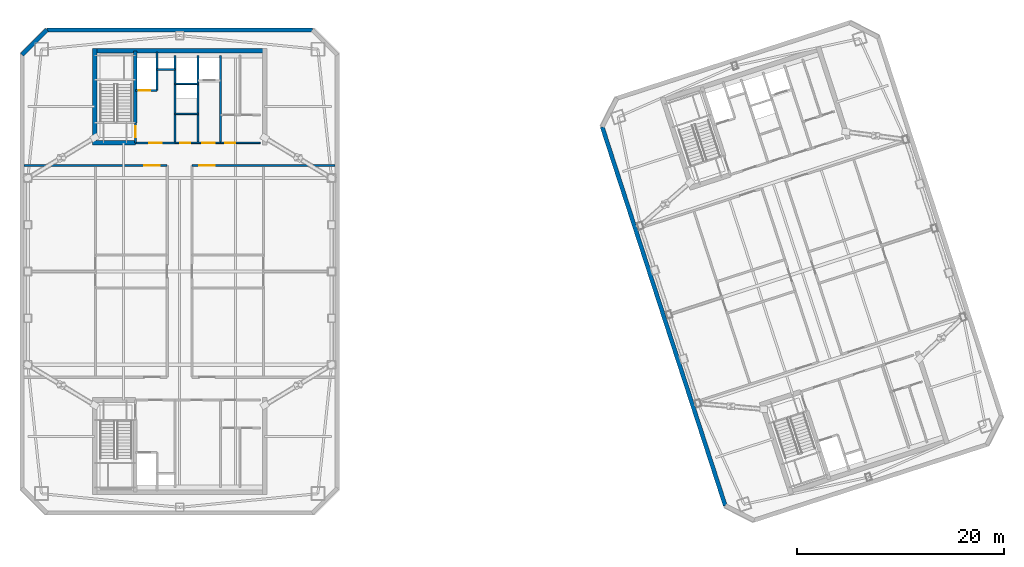
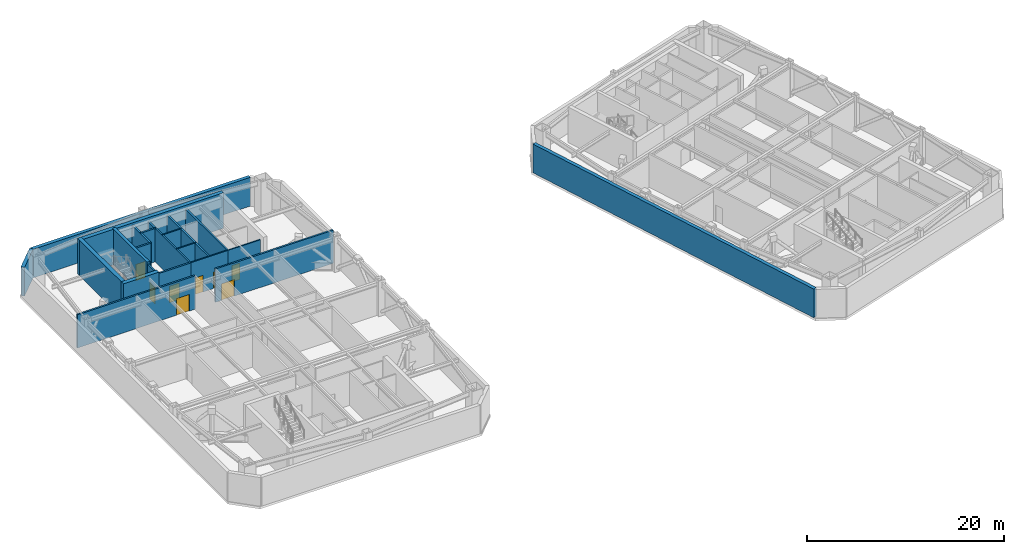
# One storey, part 11 of 17: 21 walls, 8 doors, 8 openings.
"""IFC4 building model written with IfcOpenShell, lengths in metres."""

from ifc_helpers import new_model, si_unit, direction, frame, frame_2d, origin, place, context, subcontext, project, spatial, rectangle, extrude, material, layer, layer_set, type_object, element, fill, save


model = new_model("IFC4")

# Units and contexts
model_context = context("Model", 3, precision=1e-05, world=origin(), true_north=direction((0.0, 1.0)))
body_context = subcontext(model_context, "Body", "Model", "MODEL_VIEW")
ifc_project = project(units=[si_unit("LENGTHUNIT", "METRE"), si_unit("AREAUNIT", "SQUARE_METRE"), si_unit("VOLUMEUNIT", "CUBIC_METRE"), si_unit("PLANEANGLEUNIT", "RADIAN"), si_unit("MASSUNIT", "GRAM", prefix="KILO")], contexts=[model_context])

# Site, building, storey
site_placement = place(None, origin())
site = spatial("IfcSite", under=ifc_project, at=site_placement, CompositionType="ELEMENT")
building_placement = place(site_placement, origin())
building = spatial("IfcBuilding", under=site, at=building_placement, Name="Qiaolan Cultural Towers", CompositionType="ELEMENT")
storey_placement = place(building_placement, frame((0.0, 0.0, 230.0)))
storey = spatial("IfcBuildingStorey", under=building, at=storey_placement, Name="L62", CompositionType="ELEMENT", Elevation=230.0)

# Walls
ifc_material_1 = material(Name="Concrete C50", Category="concrete")
ifc_layer_1 = layer(ifc_material_1, 0.35009765625)
ifc_layer_set_1 = layer_set([ifc_layer_1], Name="Concrete C50")
wall_type_1 = type_object("IfcWallType", Name="WL-CORE-350", PredefinedType="SHEAR", material=ifc_layer_set_1)
wall_1_placement = place(storey_placement, frame((25.719970703125, 48.300048828125, 0.0), z_axis=(0.0, 0.0, 1.0), x_axis=(0.0, 1.0, 0.0)))
element("IfcWall", 1, at=wall_1_placement, inside=storey, type_object=wall_type_1, Name="L62 T1-CN Stair Core Dividing Web", PredefinedType="SHEAR", context=body_context, shape_type="SweptSolid", body=[
    extrude(rectangle(XDim=6.97998046875, YDim=0.35009765625, at=frame_2d((3.489990234375, 0.0))), origin(), (0.0, 0.0, 1.0), 4.39990234375),
])
ifc_material_2 = material(Name="Concrete C50", Category="concrete")
ifc_layer_2 = layer(ifc_material_2, 0.449951171875)
ifc_layer_set_2 = layer_set([ifc_layer_2], Name="Concrete C50")
wall_type_2 = type_object("IfcWallType", Name="WL-CORE-450", PredefinedType="SHEAR", material=ifc_layer_set_2)
wall_2_placement = place(storey_placement, frame((21.574951171875, 55.280029296875, 0.0), z_axis=(0.0, 0.0, 1.0), x_axis=(1.0, 0.0, 0.0)))
element("IfcWall", 2, at=wall_2_placement, inside=storey, type_object=wall_type_2, Name="L62 T1-CN Outer Core Shear Wall", PredefinedType="SHEAR", context=body_context, shape_type="SweptSolid", body=[
    extrude(rectangle(XDim=16.85009765625, YDim=0.449951171875, at=frame_2d((8.425048828125, 0.0))), origin(), (0.0, 0.0, 1.0), 4.39990234375),
])
wall_3_placement = place(storey_placement, frame((21.800048828125, 46.175048828125, 0.0), z_axis=(0.0, 0.0, 1.0), x_axis=(0.0, 1.0, 0.0)))
element("IfcWall", 3, at=wall_3_placement, inside=storey, type_object=wall_type_2, Name="L62 T1-CN West Core Shear Wall", PredefinedType="SHEAR", context=body_context, shape_type="SweptSolid", body=[
    extrude(rectangle(XDim=9.329833984375, YDim=0.449951171875, at=frame_2d((4.6650390625, 0.0))), origin(), (0.0, 0.0, 1.0), 4.39990234375),
])
wall_4_placement = place(storey_placement, frame((21.574951171875, 46.39990234375, 0.0), z_axis=(0.0, 0.0, 1.0), x_axis=(1.0, 0.0, 0.0)))
element("IfcWall", 4, at=wall_4_placement, inside=storey, type_object=wall_type_2, Name="L62 T1-CN Stair Front Shear Wall", PredefinedType="SHEAR", context=body_context, shape_type="SweptSolid", body=[
    extrude(rectangle(XDim=4.14501953125, YDim=0.449951171875, at=frame_2d((2.072509765625, 0.0))), origin(), (0.0, 0.0, 1.0), 4.39990234375),
])
ifc_material_3 = material(Name="Precast Concrete C50 Honed Stone Pier", Category="masonry")
ifc_layer_3 = layer(ifc_material_3, 0.39990234375)
ifc_layer_set_3 = layer_set([ifc_layer_3], Name="Precast Concrete C50 Honed Stone Pier")
wall_type_3 = type_object("IfcWallType", Name="WL-EXT-PIER-400", PredefinedType="SOLIDWALL", material=ifc_layer_set_3)
wall_5_placement = place(storey_placement, frame((14.800048828125, 54.89990234375, 0.0), z_axis=(0.0, 0.0, 1.0), x_axis=(0.707070815327, 0.707142745217, 0.0)))
element("IfcWall", 5, at=wall_5_placement, inside=storey, type_object=wall_type_3, Name="L62 West Tower Precast Pier Facade Wall F2", PredefinedType="SOLIDWALL", context=body_context, shape_type="SweptSolid", body=[
    extrude(rectangle(XDim=3.39404296875, YDim=0.39990234375, at=frame_2d((1.697021484375, 0.0))), origin(), (0.0, 0.0, 1.0), 3.56005859375),
])
wall_6_placement = place(storey_placement, frame((17.199951171875, 57.300048828125, 0.0), z_axis=(0.0, 0.0, 1.0), x_axis=(1.0, 0.0, 0.0)))
element("IfcWall", 6, at=wall_6_placement, inside=storey, type_object=wall_type_3, Name="L62 West Tower Precast Pier Facade Wall F3", PredefinedType="SOLIDWALL", context=body_context, shape_type="SweptSolid", body=[
    extrude(rectangle(XDim=25.60009765625, YDim=0.39990234375, at=frame_2d((12.800048828125, 0.0))), origin(), (0.0, 0.0, 1.0), 3.56005859375),
])
wall_7_placement = place(storey_placement, frame((82.618408203125, 11.41357421875, 0.0), z_axis=(0.0, 0.0, 1.0), x_axis=(-0.309016491071, 0.951056679828, 0.0)))
element("IfcWall", 7, at=wall_7_placement, inside=storey, type_object=wall_type_3, Name="L62 East Tower Precast Pier Facade Wall F1", PredefinedType="SOLIDWALL", context=body_context, shape_type="SweptSolid", body=[
    extrude(rectangle(XDim=38.39990234375, YDim=0.39990234375, at=frame_2d((19.199951171875, 0.0))), origin(), (0.0, 0.0, 1.0), 3.56005859375),
])

# Wall, opening, door
ifc_material_4 = material(Name="Concrete C35 Fire Wall", Category="concrete")
ifc_layer_4 = layer(ifc_material_4, 0.199951171875)
ifc_layer_set_4 = layer_set([ifc_layer_4], Name="Concrete C35 Fire Wall")
wall_type_4 = type_object("IfcWallType", Name="WL-FIRE-200", PredefinedType="PARTITIONING", material=ifc_layer_set_4)
wall_8_placement = place(storey_placement, frame((25.719970703125, 46.39990234375, 0.0), z_axis=(0.0, 0.0, 1.0), x_axis=(0.0, 1.0, 0.0)))
wall_8 = element("IfcWall", 8, at=wall_8_placement, inside=storey, type_object=wall_type_4, Name="L62 T1-CN Smokeproof Stair Entry Wall", PredefinedType="PARTITIONING", context=body_context, shape_type="SweptSolid", body=[
    extrude(rectangle(XDim=1.900146484375, YDim=0.199951171875, at=frame_2d((0.9501953125, 0.0))), origin(), (0.0, 0.0, 1.0), 4.125),
])
opening_1_placement = place(wall_8_placement, frame((0.52001953125, 0.0, 0.0)))
opening_1 = element("IfcOpeningElement", 9, at=opening_1_placement, cuts=wall_8, Name="Opening FD-04", PredefinedType="OPENING", context=body_context, shape_type="SweptSolid", body=[
    extrude(rectangle(XDim=1.10009765625, YDim=2.050048828125, at=frame_2d((0.550048828125, 1.02490234375))), frame((0.0, 0.10986328125, 0.0), z_axis=(0.0, -1.0, 0.0), x_axis=(1.0, 0.0, 0.0)), (0.0, 0.0, 1.0), 0.219970703125),
])
ifc_material_5 = material(Name="Galvanized Steel Command Fire Door", Category="steel")
door_type_1 = type_object("IfcDoorType", Name="DR-FD90-1100", OperationType="NOTDEFINED", PredefinedType="DOOR", material=ifc_material_5)
door_1_placement = place(opening_1_placement, origin())
door_1 = element("IfcDoor", 10, at=door_1_placement, inside=storey, type_object=door_type_1, Name="L62 ST-W2 Smokeproof Stair Fire Door", OperationType="SINGLE_SWING_LEFT", OverallHeight=2.050048828125, OverallWidth=1.10009765625, PredefinedType="DOOR", context=body_context, shape_type="SweptSolid", body=[
    extrude(rectangle(XDim=1.10009765625, YDim=2.050048828125, at=frame_2d((0.550048828125, 1.02490234375))), frame((0.0, 0.02490234375, 0.0), z_axis=(0.0, -1.0, 0.0), x_axis=(1.0, 0.0, 0.0)), (0.0, 0.0, 1.0), 0.050048828125),
])
fill(opening_1, door_1)

# Wall
wall_9_placement = place(storey_placement, frame((29.550048828125, 46.39990234375, 0.0), z_axis=(0.0, 0.0, 1.0), x_axis=(0.0, 1.0, 0.0)))
element("IfcWall", 11, at=wall_9_placement, inside=storey, type_object=wall_type_4, Name="L62 T1-CN Firefighting Zone Wall", PredefinedType="PARTITIONING", context=body_context, shape_type="SweptSolid", body=[
    extrude(rectangle(XDim=8.43017578125, YDim=0.199951171875, at=frame_2d((4.215087890625, 0.0))), origin(), (0.0, 0.0, 1.0), 4.125),
])

# Wall, opening, door
wall_10_placement = place(storey_placement, frame((25.719970703125, 46.39990234375, 0.0), z_axis=(0.0, 0.0, 1.0), x_axis=(1.0, 0.0, 0.0)))
wall_10 = element("IfcWall", 12, at=wall_10_placement, inside=storey, type_object=wall_type_4, Name="L62 T1-CN Firefighting Lobby Front Wall", PredefinedType="PARTITIONING", context=body_context, shape_type="SweptSolid", body=[
    extrude(rectangle(XDim=3.830078125, YDim=0.199951171875, at=frame_2d((1.9150390625, 0.0))), origin(), (0.0, 0.0, 1.0), 4.125),
])
opening_2_placement = place(wall_10_placement, frame((1.35009765625, 0.0, 0.0)))
opening_2 = element("IfcOpeningElement", 13, at=opening_2_placement, cuts=wall_10, Name="Opening FD-03", PredefinedType="OPENING", context=body_context, shape_type="SweptSolid", body=[
    extrude(rectangle(XDim=1.199951171875, YDim=2.050048828125, at=frame_2d((0.60009765625, 1.02490234375))), frame((0.0, 0.10986328125, 0.0), z_axis=(0.0, -1.0, 0.0), x_axis=(1.0, 0.0, 0.0)), (0.0, 0.0, 1.0), 0.219970703125),
])
ifc_material_6 = material(Name="Galvanized Steel Smokeproof Lobby Fire Door", Category="steel")
door_type_2 = type_object("IfcDoorType", Name="DR-FD90-1200", OperationType="NOTDEFINED", PredefinedType="DOOR", material=ifc_material_6)
door_2_placement = place(opening_2_placement, origin())
door_2 = element("IfcDoor", 14, at=door_2_placement, inside=storey, type_object=door_type_2, Name="L62 FFL-W2 Firefighting Lobby Fire Door", OperationType="SINGLE_SWING_LEFT", OverallHeight=2.050048828125, OverallWidth=1.199951171875, PredefinedType="DOOR", context=body_context, shape_type="SweptSolid", body=[
    extrude(rectangle(XDim=1.199951171875, YDim=2.050048828125, at=frame_2d((0.60009765625, 1.02490234375))), frame((0.0, 0.02490234375, 0.0), z_axis=(0.0, -1.0, 0.0), x_axis=(1.0, 0.0, 0.0)), (0.0, 0.0, 1.0), 0.050048828125),
])
fill(opening_2, door_2)

wall_11_placement = place(storey_placement, frame((25.719970703125, 51.449951171875, 0.0), z_axis=(0.0, 0.0, 1.0), x_axis=(1.0, 0.0, 0.0)))
wall_11 = element("IfcWall", 15, at=wall_11_placement, inside=storey, type_object=wall_type_4, Name="L62 T1-CN Firefighting Shaft Front Wall", PredefinedType="PARTITIONING", context=body_context, shape_type="SweptSolid", body=[
    extrude(rectangle(XDim=2.10009765625, YDim=0.199951171875, at=frame_2d((1.050048828125, 0.0))), origin(), (0.0, 0.0, 1.0), 4.125),
])
opening_3_placement = place(wall_11_placement, frame((0.35009765625, 0.0, 0.0)))
opening_3 = element("IfcOpeningElement", 16, at=opening_3_placement, cuts=wall_11, Name="Opening LD-01", PredefinedType="OPENING", context=body_context, shape_type="SweptSolid", body=[
    extrude(rectangle(XDim=1.10009765625, YDim=2.050048828125, at=frame_2d((0.550048828125, 1.02490234375))), frame((0.0, 0.10986328125, 0.0), z_axis=(0.0, -1.0, 0.0), x_axis=(1.0, 0.0, 0.0)), (0.0, 0.0, 1.0), 0.219970703125),
])
ifc_material_7 = material(Name="Brushed Stainless Steel S30408 Centre-Parting Lift Landing Door", Category="steel")
door_type_3 = type_object("IfcDoorType", Name="DR-LIFT-1100", OperationType="NOTDEFINED", PredefinedType="DOOR", material=ifc_material_7)
door_3_placement = place(opening_3_placement, origin())
door_3 = element("IfcDoor", 17, at=door_3_placement, inside=storey, type_object=door_type_3, Name="L62 FFL-W2 Firefighting Lift Landing Door", OperationType="DOUBLE_DOOR_SLIDING", OverallHeight=2.050048828125, OverallWidth=1.10009765625, PredefinedType="DOOR", context=body_context, shape_type="SweptSolid", body=[
    extrude(rectangle(XDim=1.10009765625, YDim=2.050048828125, at=frame_2d((0.550048828125, 1.02490234375))), frame((0.0, 0.02490234375, 0.0), z_axis=(0.0, -1.0, 0.0), x_axis=(1.0, 0.0, 0.0)), (0.0, 0.0, 1.0), 0.050048828125),
])
fill(opening_3, door_3)

# Walls
wall_12_placement = place(storey_placement, frame((27.820068359375, 51.449951171875, 0.0), z_axis=(0.0, 0.0, 1.0), x_axis=(0.0, 1.0, 0.0)))
element("IfcWall", 18, at=wall_12_placement, inside=storey, type_object=wall_type_4, Name="L62 T1-CN Firefighting Hoistway East Wall", PredefinedType="PARTITIONING", context=body_context, shape_type="SweptSolid", body=[
    extrude(rectangle(XDim=3.699951171875, YDim=0.199951171875, at=frame_2d((1.85009765625, 0.0))), origin(), (0.0, 0.0, 1.0), 4.125),
])
wall_13_placement = place(storey_placement, frame((27.820068359375, 53.47998046875, 0.0), z_axis=(0.0, 0.0, 1.0), x_axis=(1.0, 0.0, 0.0)))
element("IfcWall", 19, at=wall_13_placement, inside=storey, type_object=wall_type_4, Name="L62 T1-CN Pressurization Shaft Front Wall", PredefinedType="PARTITIONING", context=body_context, shape_type="SweptSolid", body=[
    extrude(rectangle(XDim=1.72998046875, YDim=0.199951171875, at=frame_2d((0.864990234375, 0.0))), origin(), (0.0, 0.0, 1.0), 4.125),
])
for number, where, z_axis, x_axis, name in (
    (20, (33.949951171875, 46.39990234375, 0.0), (0.0, 0.0, 1.0), (0.0, 1.0, 0.0), "L62 T1-CN Lift Core East Wall"),
    (21, (31.780029296875, 46.39990234375, 0.0), (0.0, 0.0, 1.0), (0.0, 1.0, 0.0), "L62 T1-CN Sky Shuttle Lift Zone Wall"),
):
    element("IfcWall", number, at=place(storey_placement, frame(where, z_axis=z_axis, x_axis=x_axis)), inside=storey, type_object=wall_type_4, Name=name, PredefinedType="PARTITIONING", context=body_context, shape_type="SweptSolid", body=[
        extrude(rectangle(XDim=8.43017578125, YDim=0.199951171875, at=frame_2d((4.215087890625, 0.0))), origin(), (0.0, 0.0, 1.0), 4.125),
    ])

# Wall, opening, door
wall_14_placement = place(storey_placement, frame((15.0, 44.199951171875, 0.0), z_axis=(0.0, 0.0, 1.0), x_axis=(1.0, 0.0, 0.0)))
wall_14 = element("IfcWall", 22, at=wall_14_placement, inside=storey, type_object=wall_type_4, Name="L62 T1 Fire Rated Plant/Refuge Wall NBW", PredefinedType="PARTITIONING", context=body_context, shape_type="SweptSolid", body=[
    extrude(rectangle(XDim=13.800048828125, YDim=0.199951171875, at=frame_2d((6.89990234375, 0.0))), origin(), (0.0, 0.0, 1.0), 4.125),
])
opening_4_placement = place(wall_14_placement, frame((11.60009765625, 0.0, 0.0)))
opening_4 = element("IfcOpeningElement", 23, at=opening_4_placement, cuts=wall_14, Name="Opening FD-02", PredefinedType="OPENING", context=body_context, shape_type="SweptSolid", body=[
    extrude(rectangle(XDim=1.5, YDim=2.050048828125, at=frame_2d((0.75, 1.02490234375))), frame((0.0, 0.10986328125, 0.0), z_axis=(0.0, -1.0, 0.0), x_axis=(1.0, 0.0, 0.0)), (0.0, 0.0, 1.0), 0.219970703125),
])
ifc_material_8 = material(Name="Galvanized Steel Double Fire Door", Category="steel")
door_type_4 = type_object("IfcDoorType", Name="DR-FD90-1500", OperationType="NOTDEFINED", PredefinedType="DOOR", material=ifc_material_8)
door_4_placement = place(opening_4_placement, origin())
door_4 = element("IfcDoor", 24, at=door_4_placement, inside=storey, type_object=door_type_4, Name="L62 T1 West North Refuge Fire Door", OperationType="SINGLE_SWING_LEFT", OverallHeight=2.050048828125, OverallWidth=1.5, PredefinedType="DOOR", context=body_context, shape_type="SweptSolid", body=[
    extrude(rectangle(XDim=1.5, YDim=2.050048828125, at=frame_2d((0.75, 1.02490234375))), frame((0.0, 0.02490234375, 0.0), z_axis=(0.0, -1.0, 0.0), x_axis=(1.0, 0.0, 0.0)), (0.0, 0.0, 1.0), 0.050048828125),
])
fill(opening_4, door_4)

wall_15_placement = place(storey_placement, frame((31.199951171875, 44.199951171875, 0.0), z_axis=(0.0, 0.0, 1.0), x_axis=(1.0, 0.0, 0.0)))
wall_15 = element("IfcWall", 25, at=wall_15_placement, inside=storey, type_object=wall_type_4, Name="L62 T1 Fire Rated Plant/Refuge Wall NBE", PredefinedType="PARTITIONING", context=body_context, shape_type="SweptSolid", body=[
    extrude(rectangle(XDim=13.800048828125, YDim=0.199951171875, at=frame_2d((6.89990234375, 0.0))), origin(), (0.0, 0.0, 1.0), 4.125),
])
opening_5_placement = place(wall_15_placement, frame((0.699951171875, 0.0, 0.0)))
opening_5 = element("IfcOpeningElement", 26, at=opening_5_placement, cuts=wall_15, Name="Opening FD-02", PredefinedType="OPENING", context=body_context, shape_type="SweptSolid", body=[
    extrude(rectangle(XDim=1.5, YDim=2.050048828125, at=frame_2d((0.75, 1.02490234375))), frame((0.0, 0.10986328125, 0.0), z_axis=(0.0, -1.0, 0.0), x_axis=(1.0, 0.0, 0.0)), (0.0, 0.0, 1.0), 0.219970703125),
])
door_5_placement = place(opening_5_placement, origin())
door_5 = element("IfcDoor", 27, at=door_5_placement, inside=storey, type_object=door_type_4, Name="L62 T1 East North Refuge Fire Door", OperationType="SINGLE_SWING_RIGHT", OverallHeight=2.050048828125, OverallWidth=1.5, PredefinedType="DOOR", context=body_context, shape_type="SweptSolid", body=[
    extrude(rectangle(XDim=1.5, YDim=2.050048828125, at=frame_2d((0.75, 1.02490234375))), frame((0.0, 0.02490234375, 0.0), z_axis=(0.0, -1.0, 0.0), x_axis=(1.0, 0.0, 0.0)), (0.0, 0.0, 1.0), 0.050048828125),
])
fill(opening_5, door_5)

# Wall, openings, doors
ifc_material_9 = material(Name="Autoclaved Aerated Concrete Block B06", Category="concrete")
ifc_layer_5 = layer(ifc_material_9, 0.14990234375)
ifc_layer_set_5 = layer_set([ifc_layer_5], Name="Autoclaved Aerated Concrete Block B06")
wall_type_5 = type_object("IfcWallType", Name="WL-PART-150", PredefinedType="PARTITIONING", material=ifc_layer_set_5)
wall_16_placement = place(storey_placement, frame((29.550048828125, 46.39990234375, 0.0), z_axis=(0.0, 0.0, 1.0), x_axis=(1.0, 0.0, 0.0)))
wall_16 = element("IfcWall", 28, at=wall_16_placement, inside=storey, type_object=wall_type_5, Name="L62 T1-CN High-Zone Lift Lobby Wall", PredefinedType="PARTITIONING", context=body_context, shape_type="SweptSolid", body=[
    extrude(rectangle(XDim=4.39990234375, YDim=0.14990234375, at=frame_2d((2.199951171875, 0.0))), origin(), (0.0, 0.0, 1.0), 4.125),
])
opening_6_placement = place(wall_16_placement, frame((0.5, 0.0, 0.0)))
opening_6 = element("IfcOpeningElement", 29, at=opening_6_placement, cuts=wall_16, Name="Opening ID-05", PredefinedType="OPENING", context=body_context, shape_type="SweptSolid", body=[
    extrude(rectangle(XDim=0.949951171875, YDim=2.050048828125, at=frame_2d((0.47509765625, 1.02490234375))), frame((0.0, 0.0849609375, 0.0), z_axis=(0.0, -1.0, 0.0), x_axis=(1.0, 0.0, 0.0)), (0.0, 0.0, 1.0), 0.169921875),
])
opening_7_placement = place(wall_16_placement, frame((2.64990234375, 0.0, 0.0)))
opening_7 = element("IfcOpeningElement", 30, at=opening_7_placement, cuts=wall_16, Name="Opening FD-06", PredefinedType="OPENING", context=body_context, shape_type="SweptSolid", body=[
    extrude(rectangle(XDim=1.199951171875, YDim=2.050048828125, at=frame_2d((0.60009765625, 1.02490234375))), frame((0.0, 0.0849609375, 0.0), z_axis=(0.0, -1.0, 0.0), x_axis=(1.0, 0.0, 0.0)), (0.0, 0.0, 1.0), 0.169921875),
])
ifc_material_10 = material(Name="Painted Steel Plant Fire Door", Category="steel")
door_type_5 = type_object("IfcDoorType", Name="DR-FD60-1200", OperationType="NOTDEFINED", PredefinedType="DOOR", material=ifc_material_10)
door_6_placement = place(opening_7_placement, origin())
door_6 = element("IfcDoor", 31, at=door_6_placement, inside=storey, type_object=door_type_5, Name="L62 Sky Shuttle Lift Lobby Door", OperationType="SINGLE_SWING_RIGHT", OverallHeight=2.050048828125, OverallWidth=1.199951171875, PredefinedType="DOOR", context=body_context, shape_type="SweptSolid", body=[
    extrude(rectangle(XDim=1.199951171875, YDim=2.050048828125, at=frame_2d((0.60009765625, 1.02490234375))), frame((0.0, 0.02490234375, 0.0), z_axis=(0.0, -1.0, 0.0), x_axis=(1.0, 0.0, 0.0)), (0.0, 0.0, 1.0), 0.050048828125),
])
fill(opening_7, door_6)
ifc_material_11 = material(Name="Fire-Rated Laminate Accessible Core Door", Category="timber")
door_type_6 = type_object("IfcDoorType", Name="DR-INT-950", OperationType="NOTDEFINED", PredefinedType="DOOR", material=ifc_material_11)
door_7_placement = place(opening_6_placement, origin())
door_7 = element("IfcDoor", 32, at=door_7_placement, inside=storey, type_object=door_type_6, Name="L62 Reclaimed Server Room Door", OperationType="SINGLE_SWING_LEFT", OverallHeight=2.050048828125, OverallWidth=0.949951171875, PredefinedType="DOOR", context=body_context, shape_type="SweptSolid", body=[
    extrude(rectangle(XDim=0.949951171875, YDim=2.050048828125, at=frame_2d((0.47509765625, 1.02490234375))), frame((0.0, 0.02490234375, 0.0), z_axis=(0.0, -1.0, 0.0), x_axis=(1.0, 0.0, 0.0)), (0.0, 0.0, 1.0), 0.050048828125),
])
fill(opening_6, door_7)

# Walls
for number, where, z_axis, x_axis, name in (
    (33, (29.550048828125, 49.199951171875, 0.0), (0.0, 0.0, 1.0), (1.0, 0.0, 0.0), "L62 T1-CN High-Zone Reclaimed Split 1"),
    (34, (29.550048828125, 52.10009765625, 0.0), (0.0, 0.0, 1.0), (1.0, 0.0, 0.0), "L62 T1-CN High-Zone Reclaimed Split 2"),
):
    element("IfcWall", number, at=place(storey_placement, frame(where, z_axis=z_axis, x_axis=x_axis)), inside=storey, type_object=wall_type_5, Name=name, PredefinedType="PARTITIONING", context=body_context, shape_type="SweptSolid", body=[
        extrude(rectangle(XDim=2.22998046875, YDim=0.14990234375, at=frame_2d((1.114990234375, 0.0))), origin(), (0.0, 0.0, 1.0), 4.125),
    ])

# Wall, opening, door
wall_17_placement = place(storey_placement, frame((33.949951171875, 46.39990234375, 0.0), z_axis=(0.0, 0.0, 1.0), x_axis=(1.0, 0.0, 0.0)))
wall_17 = element("IfcWall", 35, at=wall_17_placement, inside=storey, type_object=wall_type_5, Name="L62 T1-CN Sanitary Core Front Wall", PredefinedType="PARTITIONING", context=body_context, shape_type="SweptSolid", body=[
    extrude(rectangle(XDim=3.800048828125, YDim=0.14990234375, at=frame_2d((1.89990234375, 0.0))), origin(), (0.0, 0.0, 1.0), 4.125),
])
opening_8_placement = place(wall_17_placement, frame((0.449951171875, 0.0, 0.0)))
opening_8 = element("IfcOpeningElement", 36, at=opening_8_placement, cuts=wall_17, Name="Opening ID-05", PredefinedType="OPENING", context=body_context, shape_type="SweptSolid", body=[
    extrude(rectangle(XDim=0.949951171875, YDim=2.050048828125, at=frame_2d((0.47509765625, 1.02490234375))), frame((0.0, 0.0849609375, 0.0), z_axis=(0.0, -1.0, 0.0), x_axis=(1.0, 0.0, 0.0)), (0.0, 0.0, 1.0), 0.169921875),
])
door_8_placement = place(opening_8_placement, origin())
door_8 = element("IfcDoor", 37, at=door_8_placement, inside=storey, type_object=door_type_6, Name="L62 Sanitary Vestibule Door", OperationType="SINGLE_SWING_LEFT", OverallHeight=2.050048828125, OverallWidth=0.949951171875, PredefinedType="DOOR", context=body_context, shape_type="SweptSolid", body=[
    extrude(rectangle(XDim=0.949951171875, YDim=2.050048828125, at=frame_2d((0.47509765625, 1.02490234375))), frame((0.0, 0.02490234375, 0.0), z_axis=(0.0, -1.0, 0.0), x_axis=(1.0, 0.0, 0.0)), (0.0, 0.0, 1.0), 0.050048828125),
])
fill(opening_8, door_8)

save(model, "model.ifc")
